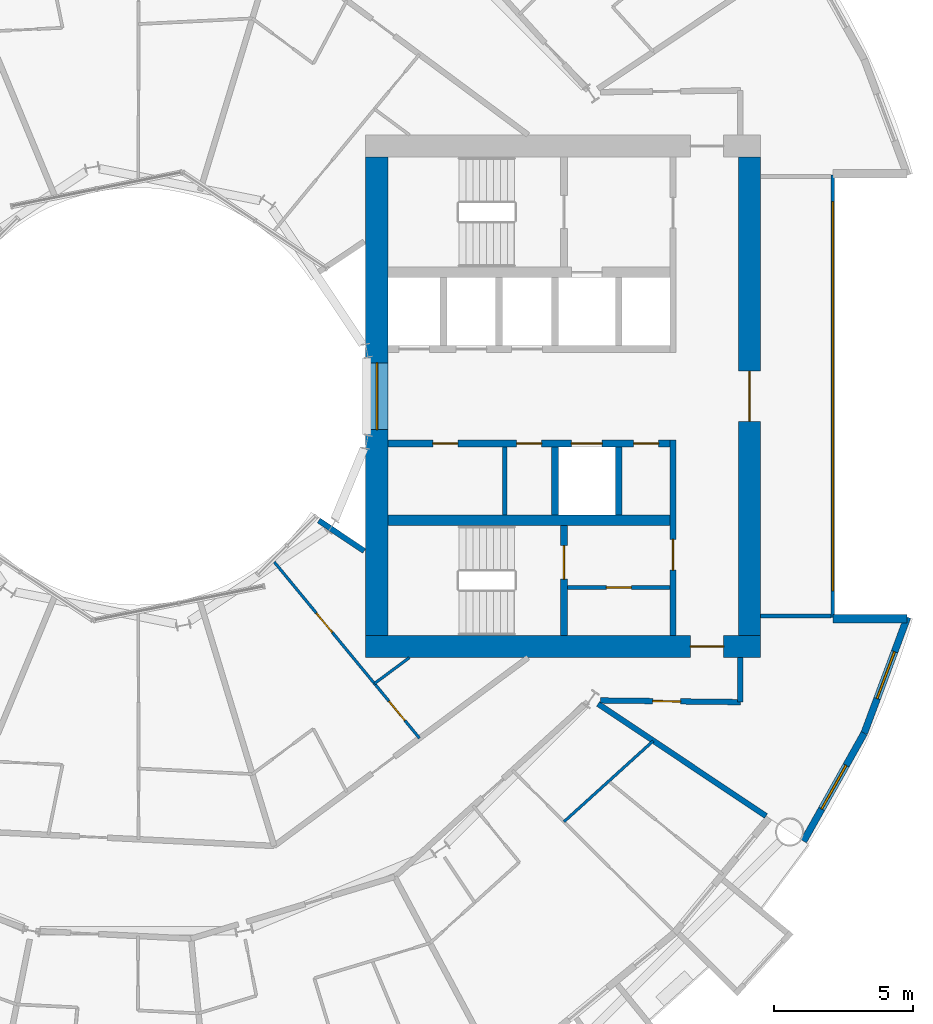
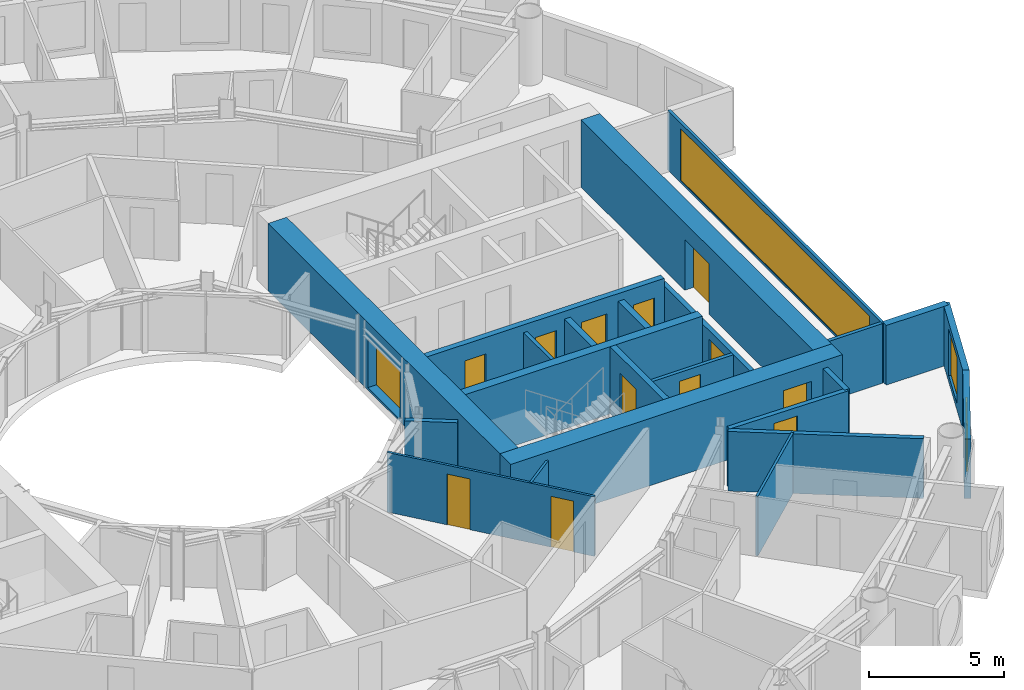
# One storey, part 17 of 26: 23 walls, 12 doors, 4 windows, 16 openings.
"""IFC4 building model written with IfcOpenShell, lengths in metres."""

from ifc_helpers import new_model, si_unit, direction, frame, frame_2d, origin, place, context, subcontext, project, spatial, rectangle, extrude, material, layer, layer_set, type_object, element, fill, save


model = new_model("IFC4")

# Units and contexts
model_context = context("Model", 3, precision=1e-05, world=origin(), true_north=direction((0.0, 1.0)))
body_context = subcontext(model_context, "Body", "Model", "MODEL_VIEW")
ifc_project = project(units=[si_unit("LENGTHUNIT", "METRE"), si_unit("AREAUNIT", "SQUARE_METRE"), si_unit("VOLUMEUNIT", "CUBIC_METRE"), si_unit("PLANEANGLEUNIT", "RADIAN"), si_unit("MASSUNIT", "GRAM", prefix="KILO")], contexts=[model_context])

# Site, building, storey
site_placement = place(None, origin())
site = spatial("IfcSite", under=ifc_project, at=site_placement, CompositionType="ELEMENT")
building_placement = place(site_placement, origin())
building = spatial("IfcBuilding", under=site, at=building_placement, Name="Maasbend Ring Residences", CompositionType="ELEMENT")
storey_placement = place(building_placement, frame((0.0, 0.0, 44.14990234375)))
storey = spatial("IfcBuildingStorey", under=building, at=storey_placement, Name="L12", CompositionType="ELEMENT", Elevation=44.14990234375)

# Wall, openings, doors
ifc_material_1 = material(Name="Concrete C70/85", Category="concrete")
ifc_layer_1 = layer(ifc_material_1, 0.25)
ifc_layer_set_1 = layer_set([ifc_layer_1], Name="Concrete C70/85")
wall_type_1 = type_object("IfcWallType", Name="CORE WALL 250 C70/85", PredefinedType="SHEAR", material=ifc_layer_set_1)
wall_1_placement = place(storey_placement, frame((19.14990234375, -1.699951171875, 0.0), z_axis=(0.0, 0.0, 1.0), x_axis=(-1.0, 0.0, 0.0)))
wall_1 = element("IfcWall", 1, at=wall_1_placement, inside=storey, type_object=wall_type_1, Name="L12 core E wall SPS", PredefinedType="SHEAR", context=body_context, shape_type="SweptSolid", body=[
    extrude(rectangle(XDim=10.14990234375, YDim=0.25, at=frame_2d((5.074951171875, 0.0))), origin(), (0.0, 0.0, 1.0), 3.050048828125),
])
opening_1_placement = place(wall_1_placement, frame((2.449951171875, 0.0, 0.0)))
opening_1 = element("IfcOpeningElement", 2, at=opening_1_placement, cuts=wall_1, Name="Opening LD-E1205", PredefinedType="OPENING", context=body_context, shape_type="SweptSolid", body=[
    extrude(rectangle(XDim=1.10009765625, YDim=2.300048828125, at=frame_2d((0.550048828125, 1.14990234375))), frame((0.0, 0.135009765625, 0.0), z_axis=(0.0, -1.0, 0.0), x_axis=(1.0, 0.0, 0.0)), (0.0, 0.0, 1.0), 0.27001953125),
])
opening_2_placement = place(wall_1_placement, frame((7.637451171875, 0.0, 0.0)))
opening_2 = element("IfcOpeningElement", 3, at=opening_2_placement, cuts=wall_1, Name="Opening D-E1206", PredefinedType="OPENING", context=body_context, shape_type="SweptSolid", body=[
    extrude(rectangle(XDim=0.89990234375, YDim=2.300048828125, at=frame_2d((0.449951171875, 1.14990234375))), frame((0.0, 0.135009765625, 0.0), z_axis=(0.0, -1.0, 0.0), x_axis=(1.0, 0.0, 0.0)), (0.0, 0.0, 1.0), 0.27001953125),
])
opening_3_placement = place(wall_1_placement, frame((4.625, 0.0, 0.0)))
opening_3 = element("IfcOpeningElement", 4, at=opening_3_placement, cuts=wall_1, Name="Opening D-E1207", PredefinedType="OPENING", context=body_context, shape_type="SweptSolid", body=[
    extrude(rectangle(XDim=0.89990234375, YDim=2.300048828125, at=frame_2d((0.449951171875, 1.14990234375))), frame((0.0, 0.135009765625, 0.0), z_axis=(0.0, -1.0, 0.0), x_axis=(1.0, 0.0, 0.0)), (0.0, 0.0, 1.0), 0.27001953125),
])
opening_4_placement = place(wall_1_placement, frame((0.41259765625, 0.0, 0.0)))
opening_4 = element("IfcOpeningElement", 5, at=opening_4_placement, cuts=wall_1, Name="Opening D-E1208", PredefinedType="OPENING", context=body_context, shape_type="SweptSolid", body=[
    extrude(rectangle(XDim=0.89990234375, YDim=2.300048828125, at=frame_2d((0.449951171875, 1.14990234375))), frame((0.0, 0.135009765625, 0.0), z_axis=(0.0, -1.0, 0.0), x_axis=(1.0, 0.0, 0.0)), (0.0, 0.0, 1.0), 0.27001953125),
])
ifc_material_2 = material(Name="Stainless steel 316", Category="steel")
door_type_1 = type_object("IfcDoorType", Name="LANDING DOOR 1100 X 2300 FD60", OperationType="DOUBLE_DOOR_SLIDING", PredefinedType="DOOR", material=ifc_material_2)
door_1_placement = place(opening_1_placement, origin())
door_1 = element("IfcDoor", 6, at=door_1_placement, inside=storey, type_object=door_type_1, Name="Landing door SV-E L12", OperationType="DOUBLE_DOOR_SLIDING", OverallHeight=2.300048828125, OverallWidth=1.10009765625, PredefinedType="DOOR", context=body_context, shape_type="SweptSolid", body=[
    extrude(rectangle(XDim=1.10009765625, YDim=2.300048828125, at=frame_2d((0.550048828125, 1.14990234375))), frame((0.0, 0.02490234375, 0.0), z_axis=(0.0, -1.0, 0.0), x_axis=(1.0, 0.0, 0.0)), (0.0, 0.0, 1.0), 0.050048828125),
])
fill(opening_1, door_1)
ifc_material_3 = material(Name="Steel, powder coated", Category="steel")
door_type_2 = type_object("IfcDoorType", Name="ROOM DOOR 900 X 2300 FD30S", OperationType="NOTDEFINED", PredefinedType="DOOR", material=ifc_material_3)
door_2_placement = place(opening_2_placement, origin())
door_2 = element("IfcDoor", 7, at=door_2_placement, inside=storey, type_object=door_type_2, Name="Room door L12", OperationType="SINGLE_SWING_LEFT", OverallHeight=2.300048828125, OverallWidth=0.89990234375, PredefinedType="DOOR", context=body_context, shape_type="SweptSolid", body=[
    extrude(rectangle(XDim=0.89990234375, YDim=2.300048828125, at=frame_2d((0.449951171875, 1.14990234375))), frame((0.0, 0.02490234375, 0.0), z_axis=(0.0, -1.0, 0.0), x_axis=(1.0, 0.0, 0.0)), (0.0, 0.0, 1.0), 0.050048828125),
])
fill(opening_2, door_2)
door_3_placement = place(opening_3_placement, origin())
door_3 = element("IfcDoor", 8, at=door_3_placement, inside=storey, type_object=door_type_2, Name="Room door L12", OperationType="SINGLE_SWING_LEFT", OverallHeight=2.300048828125, OverallWidth=0.89990234375, PredefinedType="DOOR", context=body_context, shape_type="SweptSolid", body=[
    extrude(rectangle(XDim=0.89990234375, YDim=2.300048828125, at=frame_2d((0.449951171875, 1.14990234375))), frame((0.0, 0.02490234375, 0.0), z_axis=(0.0, -1.0, 0.0), x_axis=(1.0, 0.0, 0.0)), (0.0, 0.0, 1.0), 0.050048828125),
])
fill(opening_3, door_3)
door_4_placement = place(opening_4_placement, origin())
door_4 = element("IfcDoor", 9, at=door_4_placement, inside=storey, type_object=door_type_2, Name="Room door L12", OperationType="SINGLE_SWING_RIGHT", OverallHeight=2.300048828125, OverallWidth=0.89990234375, PredefinedType="DOOR", context=body_context, shape_type="SweptSolid", body=[
    extrude(rectangle(XDim=0.89990234375, YDim=2.300048828125, at=frame_2d((0.449951171875, 1.14990234375))), frame((0.0, 0.02490234375, 0.0), z_axis=(0.0, -1.0, 0.0), x_axis=(1.0, 0.0, 0.0)), (0.0, 0.0, 1.0), 0.050048828125),
])
fill(opening_4, door_4)

# Wall, opening, door
wall_2_placement = place(storey_placement, frame((15.324951171875, -8.60009765625, 0.0), z_axis=(0.0, 0.0, 1.0), x_axis=(0.0, 1.0, 0.0)))
wall_2 = element("IfcWall", 10, at=wall_2_placement, inside=storey, type_object=wall_type_1, Name="L12 core E wall STES", PredefinedType="SHEAR", context=body_context, shape_type="SweptSolid", body=[
    extrude(rectangle(XDim=3.9501953125, YDim=0.25, at=frame_2d((1.97509765625, 0.0))), origin(), (0.0, 0.0, 1.0), 3.050048828125),
])
opening_5_placement = place(wall_2_placement, frame((2.02490234375, 0.0, 0.0)))
opening_5 = element("IfcOpeningElement", 11, at=opening_5_placement, cuts=wall_2, Name="Opening D-E1211", PredefinedType="OPENING", context=body_context, shape_type="SweptSolid", body=[
    extrude(rectangle(XDim=1.199951171875, YDim=2.300048828125, at=frame_2d((0.60009765625, 1.14990234375))), frame((0.0, 0.135009765625, 0.0), z_axis=(0.0, -1.0, 0.0), x_axis=(1.0, 0.0, 0.0)), (0.0, 0.0, 1.0), 0.27001953125),
])
ifc_material_4 = material(Name="Steel, powder coated", Category="steel")
door_type_3 = type_object("IfcDoorType", Name="STAIR DOOR 1200 X 2300 FD60", OperationType="NOTDEFINED", PredefinedType="DOOR", material=ifc_material_4)
door_5_placement = place(opening_5_placement, origin())
door_5 = element("IfcDoor", 12, at=door_5_placement, inside=storey, type_object=door_type_3, Name="Stair door ST-E L12", OperationType="SINGLE_SWING_LEFT", OverallHeight=2.300048828125, OverallWidth=1.199951171875, PredefinedType="DOOR", context=body_context, shape_type="SweptSolid", body=[
    extrude(rectangle(XDim=1.199951171875, YDim=2.300048828125, at=frame_2d((0.60009765625, 1.14990234375))), frame((0.0, 0.02490234375, 0.0), z_axis=(0.0, -1.0, 0.0), x_axis=(1.0, 0.0, 0.0)), (0.0, 0.0, 1.0), 0.050048828125),
])
fill(opening_5, door_5)

# Wall
ifc_material_5 = material(Name="Concrete C70/85", Category="concrete")
ifc_layer_2 = layer(ifc_material_5, 0.375)
ifc_layer_set_2 = layer_set([ifc_layer_2], Name="Concrete C70/85")
wall_type_2 = type_object("IfcWallType", Name="CORE WALL 375 C70/85", PredefinedType="SHEAR", material=ifc_layer_set_2)
wall_3_placement = place(storey_placement, frame((9.0, -4.46240234375, 0.0), z_axis=(0.0, 0.0, 1.0), x_axis=(1.0, 0.0, 0.0)))
element("IfcWall", 13, at=wall_3_placement, inside=storey, type_object=wall_type_2, Name="L12 core E wall BS", PredefinedType="SHEAR", context=body_context, shape_type="SweptSolid", body=[
    extrude(rectangle(XDim=10.14990234375, YDim=0.375, at=frame_2d((5.074951171875, 0.0))), origin(), (0.0, 0.0, 1.0), 3.050048828125),
])

# Wall, opening, door
ifc_material_6 = material(Name="Concrete C70/85", Category="concrete")
ifc_layer_3 = layer(ifc_material_6, 0.800048828125)
ifc_layer_set_3 = layer_set([ifc_layer_3], Name="Concrete C70/85")
wall_type_3 = type_object("IfcWallType", Name="CORE WALL 800 C70/85", PredefinedType="SHEAR", material=ifc_layer_set_3)
wall_4_placement = place(storey_placement, frame((8.199951171875, -9.0, 0.0), z_axis=(0.0, 0.0, 1.0), x_axis=(1.0, 0.0, 0.0)))
wall_4 = element("IfcWall", 14, at=wall_4_placement, inside=storey, type_object=wall_type_3, Name="L12 core E wall PS", PredefinedType="SHEAR", context=body_context, shape_type="SweptSolid", body=[
    extrude(rectangle(XDim=14.199951171875, YDim=0.800048828125, at=frame_2d((7.10009765625, 0.0))), origin(), (0.0, 0.0, 1.0), 3.050048828125),
])
opening_6_placement = place(wall_4_placement, frame((11.675048828125, 0.0, 0.0)))
opening_6 = element("IfcOpeningElement", 15, at=opening_6_placement, cuts=wall_4, Name="Opening D-E1215", PredefinedType="OPENING", context=body_context, shape_type="SweptSolid", body=[
    extrude(rectangle(XDim=1.199951171875, YDim=2.300048828125, at=frame_2d((0.60009765625, 1.14990234375))), frame((0.0, 0.41015625, 0.0), z_axis=(0.0, -1.0, 0.0), x_axis=(1.0, 0.0, 0.0)), (0.0, 0.0, 1.0), 0.820068359375),
])
ifc_material_7 = material(Name="Steel, powder coated", Category="steel")
door_type_4 = type_object("IfcDoorType", Name="CORRIDOR DOOR 1200 X 2300 FD30S", OperationType="NOTDEFINED", PredefinedType="DOOR", material=ifc_material_7)
door_6_placement = place(opening_6_placement, origin())
door_6 = element("IfcDoor", 16, at=door_6_placement, inside=storey, type_object=door_type_4, Name="Corridor door L12", OperationType="SINGLE_SWING_LEFT", OverallHeight=2.300048828125, OverallWidth=1.199951171875, PredefinedType="DOOR", context=body_context, shape_type="SweptSolid", body=[
    extrude(rectangle(XDim=1.199951171875, YDim=2.300048828125, at=frame_2d((0.60009765625, 1.14990234375))), frame((0.0, 0.02490234375, 0.0), z_axis=(0.0, -1.0, 0.0), x_axis=(1.0, 0.0, 0.0)), (0.0, 0.0, 1.0), 0.050048828125),
])
fill(opening_6, door_6)

wall_5_placement = place(storey_placement, frame((22.0, 8.60009765625, 0.0), z_axis=(0.0, 0.0, 1.0), x_axis=(0.0, -1.0, 0.0)))
wall_5 = element("IfcWall", 17, at=wall_5_placement, inside=storey, type_object=wall_type_3, Name="L12 core E wall POUT", PredefinedType="SHEAR", context=body_context, shape_type="SweptSolid", body=[
    extrude(rectangle(XDim=17.2001953125, YDim=0.800048828125, at=frame_2d((8.60009765625, 0.0))), origin(), (0.0, 0.0, 1.0), 3.050048828125),
])
opening_7_placement = place(wall_5_placement, frame((7.699951171875, 0.0, 0.0)))
opening_7 = element("IfcOpeningElement", 18, at=opening_7_placement, cuts=wall_5, Name="Opening D-E1216", PredefinedType="OPENING", context=body_context, shape_type="SweptSolid", body=[
    extrude(rectangle(XDim=1.800048828125, YDim=2.300048828125, at=frame_2d((0.89990234375, 1.14990234375))), frame((0.0, 0.41015625, 0.0), z_axis=(0.0, -1.0, 0.0), x_axis=(1.0, 0.0, 0.0)), (0.0, 0.0, 1.0), 0.820068359375),
])
ifc_material_8 = material(Name="Aluminium frame, clear glass", Category="aluminium")
door_type_5 = type_object("IfcDoorType", Name="ENTRANCE DOOR 1800 X 2300 FD60", OperationType="NOTDEFINED", PredefinedType="DOOR", material=ifc_material_8)
door_7_placement = place(opening_7_placement, origin())
door_7 = element("IfcDoor", 19, at=door_7_placement, inside=storey, type_object=door_type_5, Name="Lobby glazed door L12", OperationType="SINGLE_SWING_LEFT", OverallHeight=2.300048828125, OverallWidth=1.800048828125, PredefinedType="DOOR", context=body_context, shape_type="SweptSolid", body=[
    extrude(rectangle(XDim=1.800048828125, YDim=2.300048828125, at=frame_2d((0.89990234375, 1.14990234375))), frame((0.0, 0.02490234375, 0.0), z_axis=(0.0, -1.0, 0.0), x_axis=(1.0, 0.0, 0.0)), (0.0, 0.0, 1.0), 0.050048828125),
])
fill(opening_7, door_7)

# Wall, opening, window
wall_6_placement = place(storey_placement, frame((8.60009765625, -8.60009765625, 0.0), z_axis=(0.0, 0.0, 1.0), x_axis=(0.0, 1.0, 0.0)))
wall_6 = element("IfcWall", 20, at=wall_6_placement, inside=storey, type_object=wall_type_3, Name="L12 core E wall PIN", PredefinedType="SHEAR", context=body_context, shape_type="SweptSolid", body=[
    extrude(rectangle(XDim=17.2001953125, YDim=0.800048828125, at=frame_2d((8.60009765625, 0.0))), origin(), (0.0, 0.0, 1.0), 3.050048828125),
])
opening_8_placement = place(wall_6_placement, frame((7.39990234375, 0.0, 0.10009765625)))
opening_8 = element("IfcOpeningElement", 21, at=opening_8_placement, cuts=wall_6, Name="Opening W-E1201", PredefinedType="OPENING", context=body_context, shape_type="SweptSolid", body=[
    extrude(rectangle(XDim=2.39990234375, YDim=2.199951171875, at=frame_2d((1.199951171875, 1.10009765625))), frame((0.0, 0.41015625, 0.0), z_axis=(0.0, -1.0, 0.0), x_axis=(1.0, 0.0, 0.0)), (0.0, 0.0, 1.0), 0.820068359375),
])
ifc_material_9 = material(Name="Aluminium frame and clear glass", Category="aluminium")
window_type_1 = type_object("IfcWindowType", Name="FIXED WINDOW 2400 X 2200", PartitioningType="SINGLE_PANEL", PredefinedType="WINDOW", material=ifc_material_9)
window_1_placement = place(opening_8_placement, origin())
window_1 = element("IfcWindow", 22, at=window_1_placement, inside=storey, type_object=window_type_1, Name="Lobby window L12", OverallHeight=2.199951171875, OverallWidth=2.39990234375, PartitioningType="SINGLE_PANEL", PredefinedType="WINDOW", context=body_context, shape_type="SweptSolid", body=[
    extrude(rectangle(XDim=2.39990234375, YDim=2.199951171875, at=frame_2d((1.199951171875, 1.10009765625))), frame((0.0, 0.030029296875, 0.0), z_axis=(0.0, -1.0, 0.0), x_axis=(1.0, 0.0, 0.0)), (0.0, 0.0, 1.0), 0.06005859375),
])
fill(opening_8, window_1)

# Wall
ifc_material_10 = material(Name="Concrete C30/37", Category="concrete")
ifc_layer_4 = layer(ifc_material_10, 0.199951171875)
ifc_layer_set_4 = layer_set([ifc_layer_4], Name="Concrete C30/37")
wall_type_4 = type_object("IfcWallType", Name="CORRIDOR WALL 200 CONCRETE", PredefinedType="PARTITIONING", material=ifc_layer_set_4)
wall_7_placement = place(storey_placement, frame((21.675048828125, -11.0, 0.0), z_axis=(0.0, 0.0, 1.0), x_axis=(0.0, 1.0, 0.0)))
element("IfcWall", 23, at=wall_7_placement, inside=storey, type_object=wall_type_4, Name="U-L12-w007", PredefinedType="PARTITIONING", context=body_context, shape_type="SweptSolid", body=[
    extrude(rectangle(XDim=1.60009765625, YDim=0.199951171875, at=frame_2d((0.800048828125, 0.0))), origin(), (0.0, 0.0, 1.0), 2.7001953125),
])

# Wall, opening, door
wall_8_placement = place(storey_placement, frame((16.635986328125, -10.93896484375, 0.0), z_axis=(0.0, 0.0, 1.0), x_axis=(0.999926652916, -0.012111514691, 0.0)))
wall_8 = element("IfcWall", 24, at=wall_8_placement, inside=storey, type_object=wall_type_4, Name="U-L12-w029", PredefinedType="PARTITIONING", context=body_context, shape_type="SweptSolid", body=[
    extrude(rectangle(XDim=5.03955078125, YDim=0.199951171875, at=frame_2d((2.519775390625, 0.0))), origin(), (0.0, 0.0, 1.0), 2.7001953125),
])
opening_9_placement = place(wall_8_placement, frame((1.885986328125, 0.0, 0.0)))
opening_9 = element("IfcOpeningElement", 25, at=opening_9_placement, cuts=wall_8, Name="Opening D-1271", PredefinedType="OPENING", context=body_context, shape_type="SweptSolid", body=[
    extrude(rectangle(XDim=1.0, YDim=2.300048828125, at=frame_2d((0.5, 1.14990234375))), frame((0.0, 0.10986328125, 0.0), z_axis=(0.0, -1.0, 0.0), x_axis=(1.0, 0.0, 0.0)), (0.0, 0.0, 1.0), 0.219970703125),
])
ifc_material_11 = material(Name="Timber, painted", Category="wood")
door_type_6 = type_object("IfcDoorType", Name="ROOM DOOR 1000 X 2300", OperationType="NOTDEFINED", PredefinedType="DOOR", material=ifc_material_11)
door_8_placement = place(opening_9_placement, origin())
door_8 = element("IfcDoor", 26, at=door_8_placement, inside=storey, type_object=door_type_6, Name="D-1271", OperationType="SINGLE_SWING_LEFT", OverallHeight=2.300048828125, OverallWidth=1.0, PredefinedType="DOOR", context=body_context, shape_type="SweptSolid", body=[
    extrude(rectangle(XDim=1.0, YDim=2.300048828125, at=frame_2d((0.5, 1.14990234375))), frame((0.0, 0.02490234375, 0.0), z_axis=(0.0, -1.0, 0.0), x_axis=(1.0, 0.0, 0.0)), (0.0, 0.0, 1.0), 0.050048828125),
])
fill(opening_9, door_8)

# Wall, opening, window
ifc_material_12 = material(Name="Aluminium clad insulated panel", Category="aluminium")
ifc_layer_5 = layer(ifc_material_12, 0.25)
ifc_layer_set_5 = layer_set([ifc_layer_5], Name="EW-HORN")
wall_type_5 = type_object("IfcWallType", Name="EW-HORN", PredefinedType="SOLIDWALL", material=ifc_layer_set_5)
wall_9_placement = place(storey_placement, frame((23.946044921875, -16.0, 0.0), z_axis=(0.0, 0.0, 1.0), x_axis=(0.489696356642, 0.871893042919, 0.0)))
wall_9 = element("IfcWall", 27, at=wall_9_placement, inside=storey, type_object=wall_type_5, Name="Horn wall 2.1", PredefinedType="SOLIDWALL", context=body_context, shape_type="SweptSolid", body=[
    extrude(rectangle(XDim=4.45361328125, YDim=0.25, at=frame_2d((2.226806640625, 0.0))), origin(), (0.0, 0.0, 1.0), 2.7001953125),
])
opening_10_placement = place(wall_9_placement, frame((1.32666015625, 0.0, 0.300048828125)))
opening_10 = element("IfcOpeningElement", 28, at=opening_10_placement, cuts=wall_9, Name="Opening W-BX", PredefinedType="OPENING", context=body_context, shape_type="SweptSolid", body=[
    extrude(rectangle(XDim=1.800048828125, YDim=2.10009765625, at=frame_2d((0.89990234375, 1.050048828125))), frame((0.0, 0.135009765625, 0.0), z_axis=(0.0, -1.0, 0.0), x_axis=(1.0, 0.0, 0.0)), (0.0, 0.0, 1.0), 0.27001953125),
])
ifc_material_13 = material(Name="Aluminium and clear glass", Category="aluminium")
window_type_2 = type_object("IfcWindowType", Name="W-BX", PartitioningType="DOUBLE_PANEL_VERTICAL", PredefinedType="WINDOW", material=ifc_material_13)
window_2_placement = place(opening_10_placement, origin())
window_2 = element("IfcWindow", 29, at=window_2_placement, inside=storey, type_object=window_type_2, Name="Horn window 2.1", OverallHeight=2.10009765625, OverallWidth=1.800048828125, PartitioningType="SINGLE_PANEL", PredefinedType="WINDOW", context=body_context, shape_type="SweptSolid", body=[
    extrude(rectangle(XDim=1.800048828125, YDim=2.10009765625, at=frame_2d((0.89990234375, 1.050048828125))), frame((0.0, 0.030029296875, 0.0), z_axis=(0.0, -1.0, 0.0), x_axis=(1.0, 0.0, 0.0)), (0.0, 0.0, 1.0), 0.06005859375),
])
fill(opening_10, window_2)

wall_10_placement = place(storey_placement, frame((26.126953125, -12.116943359375, 0.0), z_axis=(0.0, 0.0, 1.0), x_axis=(0.349247811493, 0.937030397675, 0.0)))
wall_10 = element("IfcWall", 30, at=wall_10_placement, inside=storey, type_object=wall_type_5, Name="Horn wall 2.2", PredefinedType="SOLIDWALL", context=body_context, shape_type="SweptSolid", body=[
    extrude(rectangle(XDim=4.4521484375, YDim=0.25, at=frame_2d((2.22607421875, 0.0))), origin(), (0.0, 0.0, 1.0), 2.7001953125),
])
opening_11_placement = place(wall_10_placement, frame((1.32666015625, 0.0, 0.300048828125)))
opening_11 = element("IfcOpeningElement", 31, at=opening_11_placement, cuts=wall_10, Name="Opening W-BX", PredefinedType="OPENING", context=body_context, shape_type="SweptSolid", body=[
    extrude(rectangle(XDim=1.800048828125, YDim=2.10009765625, at=frame_2d((0.89990234375, 1.050048828125))), frame((0.0, 0.135009765625, 0.0), z_axis=(0.0, -1.0, 0.0), x_axis=(1.0, 0.0, 0.0)), (0.0, 0.0, 1.0), 0.27001953125),
])
window_3_placement = place(opening_11_placement, origin())
window_3 = element("IfcWindow", 32, at=window_3_placement, inside=storey, type_object=window_type_2, Name="Horn window 2.2", OverallHeight=2.10009765625, OverallWidth=1.800048828125, PartitioningType="SINGLE_PANEL", PredefinedType="WINDOW", context=body_context, shape_type="SweptSolid", body=[
    extrude(rectangle(XDim=1.800048828125, YDim=2.10009765625, at=frame_2d((0.89990234375, 1.050048828125))), frame((0.0, 0.030029296875, 0.0), z_axis=(0.0, -1.0, 0.0), x_axis=(1.0, 0.0, 0.0)), (0.0, 0.0, 1.0), 0.06005859375),
])
fill(opening_11, window_3)

# Wall
ifc_material_14 = material(Name="Aluminium clad insulated panel", Category="aluminium")
ifc_layer_6 = layer(ifc_material_14, 0.300048828125)
ifc_layer_set_6 = layer_set([ifc_layer_6], Name="EW-RET")
wall_type_6 = type_object("IfcWallType", Name="EW-RET", PredefinedType="SOLIDWALL", material=ifc_layer_set_6)
wall_11_placement = place(storey_placement, frame((25.0, -8.0, 0.0), z_axis=(0.0, 0.0, 1.0), x_axis=(1.0, 0.0, 0.0)))
element("IfcWall", 33, at=wall_11_placement, inside=storey, type_object=wall_type_6, Name="Notch return wall east south", PredefinedType="SOLIDWALL", context=body_context, shape_type="SweptSolid", body=[
    extrude(rectangle(XDim=2.6669921875, YDim=0.300048828125, at=frame_2d((1.33349609375, 0.0))), origin(), (0.0, 0.0, 1.0), 2.7001953125),
])

# Wall, opening, window
ifc_material_15 = material(Name="Aluminium frame and clear glass", Category="aluminium")
ifc_layer_7 = layer(ifc_material_15, 0.1201171875)
ifc_layer_set_7 = layer_set([ifc_layer_7], Name="GLAZED SCREEN WALL 120 EI 60")
wall_type_7 = type_object("IfcWallType", Name="GLAZED SCREEN WALL 120 EI 60", PredefinedType="PARTITIONING", material=ifc_layer_set_7)
wall_12_placement = place(storey_placement, frame((25.0, -7.949951171875, 0.0), z_axis=(0.0, 0.0, 1.0), x_axis=(0.0, 1.0, 0.0)))
wall_12 = element("IfcWall", 34, at=wall_12_placement, inside=storey, type_object=wall_type_7, Name="L12 core E wall FACE", PredefinedType="PARTITIONING", context=body_context, shape_type="SweptSolid", body=[
    extrude(rectangle(XDim=15.89990234375, YDim=0.1201171875, at=frame_2d((7.949951171875, 0.0))), origin(), (0.0, 0.0, 1.0), 2.7001953125),
])
opening_12_placement = place(wall_12_placement, frame((0.949951171875, 0.0, 0.10009765625)))
opening_12 = element("IfcOpeningElement", 35, at=opening_12_placement, cuts=wall_12, Name="Opening W-E1202", PredefinedType="OPENING", context=body_context, shape_type="SweptSolid", body=[
    extrude(rectangle(XDim=14.0, YDim=2.35009765625, at=frame_2d((7.0, 1.175048828125))), frame((0.0, 0.070068359375, 0.0), z_axis=(0.0, -1.0, 0.0), x_axis=(1.0, 0.0, 0.0)), (0.0, 0.0, 1.0), 0.14013671875),
])
ifc_material_16 = material(Name="Aluminium frame and clear glass", Category="aluminium")
window_type_3 = type_object("IfcWindowType", Name="FIXED WINDOW 14000 X 2350", PartitioningType="SINGLE_PANEL", PredefinedType="WINDOW", material=ifc_material_16)
window_4_placement = place(opening_12_placement, origin())
window_4 = element("IfcWindow", 36, at=window_4_placement, inside=storey, type_object=window_type_3, Name="Lobby window L12", OverallHeight=2.35009765625, OverallWidth=14.0, PartitioningType="SINGLE_PANEL", PredefinedType="WINDOW", context=body_context, shape_type="SweptSolid", body=[
    extrude(rectangle(XDim=14.0, YDim=2.35009765625, at=frame_2d((7.0, 1.175048828125))), frame((0.0, 0.030029296875, 0.0), z_axis=(0.0, -1.0, 0.0), x_axis=(1.0, 0.0, 0.0)), (0.0, 0.0, 1.0), 0.06005859375),
])
fill(opening_12, window_4)

# Walls
ifc_material_17 = material(Name="Gypsum board on steel studs", Category="steel")
ifc_layer_8 = layer(ifc_material_17, 0.10009765625)
ifc_layer_set_8 = layer_set([ifc_layer_8], Name="PARTITION 100 GYPSUM")
wall_type_8 = type_object("IfcWallType", Name="PARTITION 100 GYPSUM", PredefinedType="PARTITIONING", material=ifc_layer_set_8)
wall_13_placement = place(storey_placement, frame((15.330078125, -15.301025390625, 0.0), z_axis=(0.0, 0.0, 1.0), x_axis=(0.741109646243, 0.671384012504, 0.0)))
element("IfcWall", 37, at=wall_13_placement, inside=storey, type_object=wall_type_8, Name="U-L12-w012", PredefinedType="PARTITIONING", context=body_context, shape_type="SweptSolid", body=[
    extrude(rectangle(XDim=4.331298828125, YDim=0.10009765625, at=frame_2d((2.16552734375, 0.0))), origin(), (0.0, 0.0, 1.0), 2.7001953125),
])
wall_14_placement = place(storey_placement, frame((8.512939453125, -10.33203125, 0.0), z_axis=(0.0, 0.0, 1.0), x_axis=(0.803264156882, 0.595622946392, 0.0)))
element("IfcWall", 38, at=wall_14_placement, inside=storey, type_object=wall_type_8, Name="U-L12-w027", PredefinedType="PARTITIONING", context=body_context, shape_type="SweptSolid", body=[
    extrude(rectangle(XDim=1.56494140625, YDim=0.10009765625, at=frame_2d((0.782470703125, 0.0))), origin(), (0.0, 0.0, 1.0), 2.7001953125),
])

# Wall, openings, doors
wall_15_placement = place(storey_placement, frame((4.907958984375, -5.958984375, 0.0), z_axis=(0.0, 0.0, 1.0), x_axis=(0.636105207978, -0.771602335652, 0.0)))
wall_15 = element("IfcWall", 39, at=wall_15_placement, inside=storey, type_object=wall_type_8, Name="U-L12-w072", PredefinedType="PARTITIONING", context=body_context, shape_type="SweptSolid", body=[
    extrude(rectangle(XDim=8.212646484375, YDim=0.10009765625, at=frame_2d((4.1064453125, 0.0))), origin(), (0.0, 0.0, 1.0), 2.7001953125),
])
opening_13_placement = place(wall_15_placement, frame((6.489990234375, 0.0, 0.0)))
opening_13 = element("IfcOpeningElement", 40, at=opening_13_placement, cuts=wall_15, Name="Opening D-1267", PredefinedType="OPENING", context=body_context, shape_type="SweptSolid", body=[
    extrude(rectangle(XDim=0.89990234375, YDim=2.300048828125, at=frame_2d((0.449951171875, 1.14990234375))), frame((0.0, 0.06005859375, 0.0), z_axis=(0.0, -1.0, 0.0), x_axis=(1.0, 0.0, 0.0)), (0.0, 0.0, 1.0), 0.1201171875),
])
opening_14_placement = place(wall_15_placement, frame((2.384033203125, 0.0, 0.0)))
opening_14 = element("IfcOpeningElement", 41, at=opening_14_placement, cuts=wall_15, Name="Opening D-1268", PredefinedType="OPENING", context=body_context, shape_type="SweptSolid", body=[
    extrude(rectangle(XDim=0.89990234375, YDim=2.300048828125, at=frame_2d((0.449951171875, 1.14990234375))), frame((0.0, 0.06005859375, 0.0), z_axis=(0.0, -1.0, 0.0), x_axis=(1.0, 0.0, 0.0)), (0.0, 0.0, 1.0), 0.1201171875),
])
ifc_material_18 = material(Name="Timber, painted", Category="wood")
door_type_7 = type_object("IfcDoorType", Name="INTERNAL DOOR 900 X 2300", OperationType="NOTDEFINED", PredefinedType="DOOR", material=ifc_material_18)
door_9_placement = place(opening_13_placement, origin())
door_9 = element("IfcDoor", 42, at=door_9_placement, inside=storey, type_object=door_type_7, Name="D-1267", OperationType="SINGLE_SWING_RIGHT", OverallHeight=2.300048828125, OverallWidth=0.89990234375, PredefinedType="DOOR", context=body_context, shape_type="SweptSolid", body=[
    extrude(rectangle(XDim=0.89990234375, YDim=2.300048828125, at=frame_2d((0.449951171875, 1.14990234375))), frame((0.0, 0.02490234375, 0.0), z_axis=(0.0, -1.0, 0.0), x_axis=(1.0, 0.0, 0.0)), (0.0, 0.0, 1.0), 0.050048828125),
])
fill(opening_13, door_9)
door_10_placement = place(opening_14_placement, origin())
door_10 = element("IfcDoor", 43, at=door_10_placement, inside=storey, type_object=door_type_7, Name="D-1268", OperationType="SINGLE_SWING_LEFT", OverallHeight=2.300048828125, OverallWidth=0.89990234375, PredefinedType="DOOR", context=body_context, shape_type="SweptSolid", body=[
    extrude(rectangle(XDim=0.89990234375, YDim=2.300048828125, at=frame_2d((0.449951171875, 1.14990234375))), frame((0.0, 0.02490234375, 0.0), z_axis=(0.0, -1.0, 0.0), x_axis=(1.0, 0.0, 0.0)), (0.0, 0.0, 1.0), 0.050048828125),
])
fill(opening_14, door_10)

# Wall
ifc_material_19 = material(Name="Gypsum board on steel studs", Category="steel")
ifc_layer_9 = layer(ifc_material_19, 0.14990234375)
ifc_layer_set_9 = layer_set([ifc_layer_9], Name="PARTITION 150 EI 60")
wall_type_9 = type_object("IfcWallType", Name="PARTITION 150 EI 60", PredefinedType="PARTITIONING", material=ifc_layer_set_9)
wall_16_placement = place(storey_placement, frame((13.199951171875, -1.824951171875, 0.0), z_axis=(0.0, 0.0, 1.0), x_axis=(0.0, -1.0, 0.0)))
element("IfcWall", 44, at=wall_16_placement, inside=storey, type_object=wall_type_9, Name="L12 core E wall PRS1320", PredefinedType="PARTITIONING", context=body_context, shape_type="SweptSolid", body=[
    extrude(rectangle(XDim=2.449951171875, YDim=0.14990234375, at=frame_2d((1.22509765625, 0.0))), origin(), (0.0, 0.0, 1.0), 2.7001953125),
])

# Wall, opening, door
wall_17_placement = place(storey_placement, frame((15.449951171875, -6.875, 0.0), z_axis=(0.0, 0.0, 1.0), x_axis=(1.0, 0.0, 0.0)))
wall_17 = element("IfcWall", 45, at=wall_17_placement, inside=storey, type_object=wall_type_9, Name="L12 core E wall RHS", PredefinedType="PARTITIONING", context=body_context, shape_type="SweptSolid", body=[
    extrude(rectangle(XDim=3.699951171875, YDim=0.14990234375, at=frame_2d((1.85009765625, 0.0))), origin(), (0.0, 0.0, 1.0), 2.7001953125),
])
opening_15_placement = place(wall_17_placement, frame((1.39990234375, 0.0, 0.0)))
opening_15 = element("IfcOpeningElement", 46, at=opening_15_placement, cuts=wall_17, Name="Opening D-E1209", PredefinedType="OPENING", context=body_context, shape_type="SweptSolid", body=[
    extrude(rectangle(XDim=0.89990234375, YDim=2.300048828125, at=frame_2d((0.449951171875, 1.14990234375))), frame((0.0, 0.0849609375, 0.0), z_axis=(0.0, -1.0, 0.0), x_axis=(1.0, 0.0, 0.0)), (0.0, 0.0, 1.0), 0.169921875),
])
ifc_material_20 = material(Name="Steel, powder coated", Category="steel")
door_type_8 = type_object("IfcDoorType", Name="RISER DOOR 900 X 2300 FD60", OperationType="NOTDEFINED", PredefinedType="DOOR", material=ifc_material_20)
door_11_placement = place(opening_15_placement, origin())
door_11 = element("IfcDoor", 47, at=door_11_placement, inside=storey, type_object=door_type_8, Name="Riser door L12", OperationType="SINGLE_SWING_LEFT", OverallHeight=2.300048828125, OverallWidth=0.89990234375, PredefinedType="DOOR", context=body_context, shape_type="SweptSolid", body=[
    extrude(rectangle(XDim=0.89990234375, YDim=2.300048828125, at=frame_2d((0.449951171875, 1.14990234375))), frame((0.0, 0.02490234375, 0.0), z_axis=(0.0, -1.0, 0.0), x_axis=(1.0, 0.0, 0.0)), (0.0, 0.0, 1.0), 0.050048828125),
])
fill(opening_15, door_11)

# Walls
wall_18_placement = place(storey_placement, frame((22.39990234375, -7.89990234375, 0.0), z_axis=(0.0, 0.0, 1.0), x_axis=(1.0, 0.0, 0.0)))
element("IfcWall", 48, at=wall_18_placement, inside=storey, type_object=wall_type_9, Name="L12 core E wall CITS", PredefinedType="PARTITIONING", context=body_context, shape_type="SweptSolid", body=[
    extrude(rectangle(XDim=2.5400390625, YDim=0.14990234375, at=frame_2d((1.27001953125, 0.0))), origin(), (0.0, 0.0, 1.0), 2.7001953125),
])
ifc_material_21 = material(Name="Concrete C30/37", Category="concrete")
ifc_layer_10 = layer(ifc_material_21, 0.199951171875)
ifc_layer_set_10 = layer_set([ifc_layer_10], Name="Concrete C30/37")
wall_type_10 = type_object("IfcWallType", Name="PARTY WALL 200 CONCRETE", PredefinedType="PARTITIONING", material=ifc_layer_set_10)
wall_19_placement = place(storey_placement, frame((6.512939453125, -4.471923828125, 0.0), z_axis=(0.0, 0.0, 1.0), x_axis=(0.831417956244, -0.555647533996, 0.0)))
element("IfcWall", 49, at=wall_19_placement, inside=storey, type_object=wall_type_10, Name="U-L12-w031", PredefinedType="PARTITIONING", context=body_context, shape_type="SweptSolid", body=[
    extrude(rectangle(XDim=1.9619140625, YDim=0.199951171875, at=frame_2d((0.98095703125, 0.0))), origin(), (0.0, 0.0, 1.0), 2.7001953125),
])
wall_20_placement = place(storey_placement, frame((16.554931640625, -11.06103515625, 0.0), z_axis=(0.0, 0.0, 1.0), x_axis=(0.831507055747, -0.555514190857, 0.0)))
element("IfcWall", 50, at=wall_20_placement, inside=storey, type_object=wall_type_10, Name="U-L12-w088", PredefinedType="PARTITIONING", context=body_context, shape_type="SweptSolid", body=[
    extrude(rectangle(XDim=7.26513671875, YDim=0.199951171875, at=frame_2d((3.632568359375, 0.0))), origin(), (0.0, 0.0, 1.0), 2.7001953125),
])

# Wall, opening, door
ifc_material_22 = material(Name="Concrete C30/37", Category="concrete")
ifc_layer_11 = layer(ifc_material_22, 0.199951171875)
ifc_layer_set_11 = layer_set([ifc_layer_11], Name="Concrete C30/37")
wall_type_11 = type_object("IfcWallType", Name="SHAFT WALL 200 EI 120", PredefinedType="SOLIDWALL", material=ifc_layer_set_11)
wall_21_placement = place(storey_placement, frame((19.25, -8.60009765625, 0.0), z_axis=(0.0, 0.0, 1.0), x_axis=(0.0, 1.0, 0.0)))
wall_21 = element("IfcWall", 51, at=wall_21_placement, inside=storey, type_object=wall_type_11, Name="L12 core E wall ENDS", PredefinedType="SOLIDWALL", context=body_context, shape_type="SweptSolid", body=[
    extrude(rectangle(XDim=7.025146484375, YDim=0.199951171875, at=frame_2d((3.5126953125, 0.0))), origin(), (0.0, 0.0, 1.0), 2.7001953125),
])
opening_16_placement = place(wall_21_placement, frame((2.35009765625, 0.0, 0.0)))
opening_16 = element("IfcOpeningElement", 52, at=opening_16_placement, cuts=wall_21, Name="Opening D-E1213", PredefinedType="OPENING", context=body_context, shape_type="SweptSolid", body=[
    extrude(rectangle(XDim=1.10009765625, YDim=2.300048828125, at=frame_2d((0.550048828125, 1.14990234375))), frame((0.0, 0.10986328125, 0.0), z_axis=(0.0, -1.0, 0.0), x_axis=(1.0, 0.0, 0.0)), (0.0, 0.0, 1.0), 0.219970703125),
])
ifc_material_23 = material(Name="Steel, powder coated", Category="steel")
door_type_9 = type_object("IfcDoorType", Name="LOBBY DOOR 1100 X 2300 FD60", OperationType="NOTDEFINED", PredefinedType="DOOR", material=ifc_material_23)
door_12_placement = place(opening_16_placement, origin())
door_12 = element("IfcDoor", 53, at=door_12_placement, inside=storey, type_object=door_type_9, Name="Lobby door L12", OperationType="SINGLE_SWING_RIGHT", OverallHeight=2.300048828125, OverallWidth=1.10009765625, PredefinedType="DOOR", context=body_context, shape_type="SweptSolid", body=[
    extrude(rectangle(XDim=1.10009765625, YDim=2.300048828125, at=frame_2d((0.550048828125, 1.14990234375))), frame((0.0, 0.02490234375, 0.0), z_axis=(0.0, -1.0, 0.0), x_axis=(1.0, 0.0, 0.0)), (0.0, 0.0, 1.0), 0.050048828125),
])
fill(opening_16, door_12)

# Walls
ifc_material_24 = material(Name="Concrete C30/37", Category="concrete")
ifc_layer_12 = layer(ifc_material_24, 0.25)
ifc_layer_set_12 = layer_set([ifc_layer_12], Name="Concrete C30/37")
wall_type_12 = type_object("IfcWallType", Name="SHAFT WALL 250 EI 120", PredefinedType="SOLIDWALL", material=ifc_layer_set_12)
for number, where, z_axis, x_axis, name in (
    (54, (15.0, -1.824951171875, 0.0), (0.0, 0.0, 1.0), (0.0, -1.0, 0.0), "L12 core E wall D150S"),
    (55, (17.300048828125, -1.824951171875, 0.0), (0.0, 0.0, 1.0), (0.0, -1.0, 0.0), "L12 core E wall D173S"),
):
    element("IfcWall", number, at=place(storey_placement, frame(where, z_axis=z_axis, x_axis=x_axis)), inside=storey, type_object=wall_type_12, Name=name, PredefinedType="SOLIDWALL", context=body_context, shape_type="SweptSolid", body=[
        extrude(rectangle(XDim=2.449951171875, YDim=0.25, at=frame_2d((1.22509765625, 0.0))), origin(), (0.0, 0.0, 1.0), 2.7001953125),
    ])

save(model, "model.ifc")
